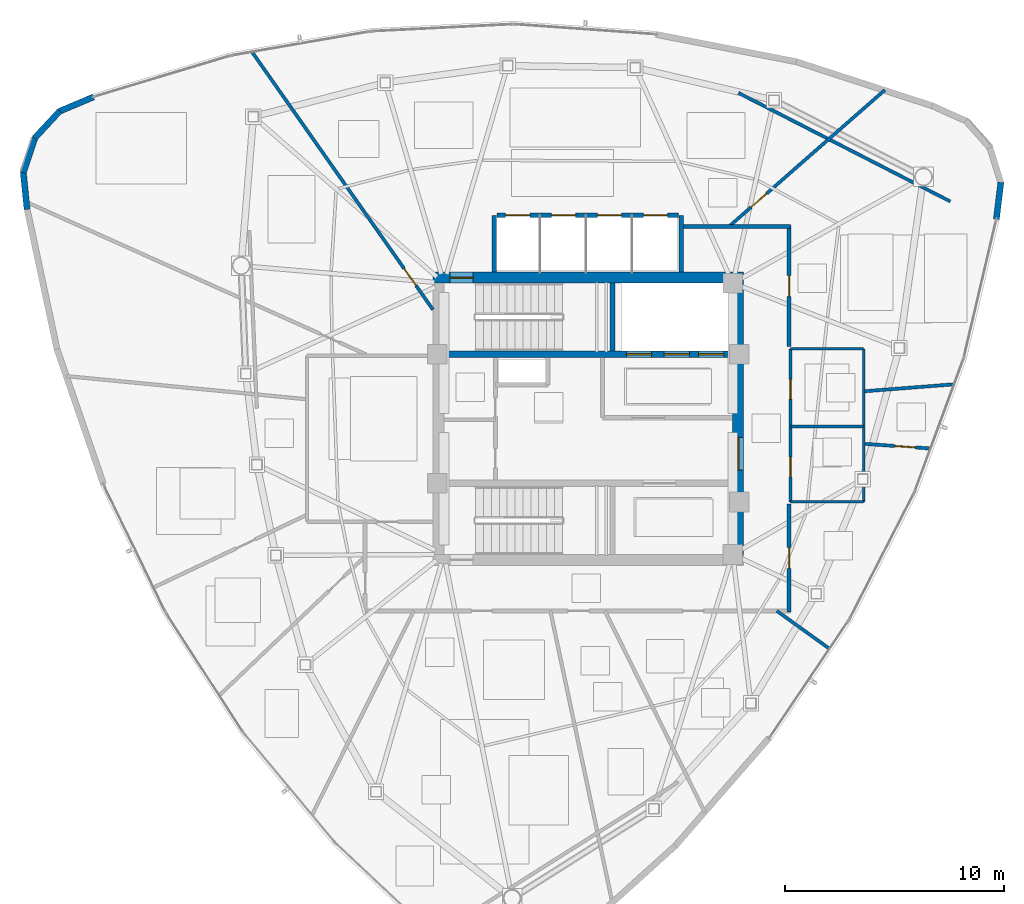
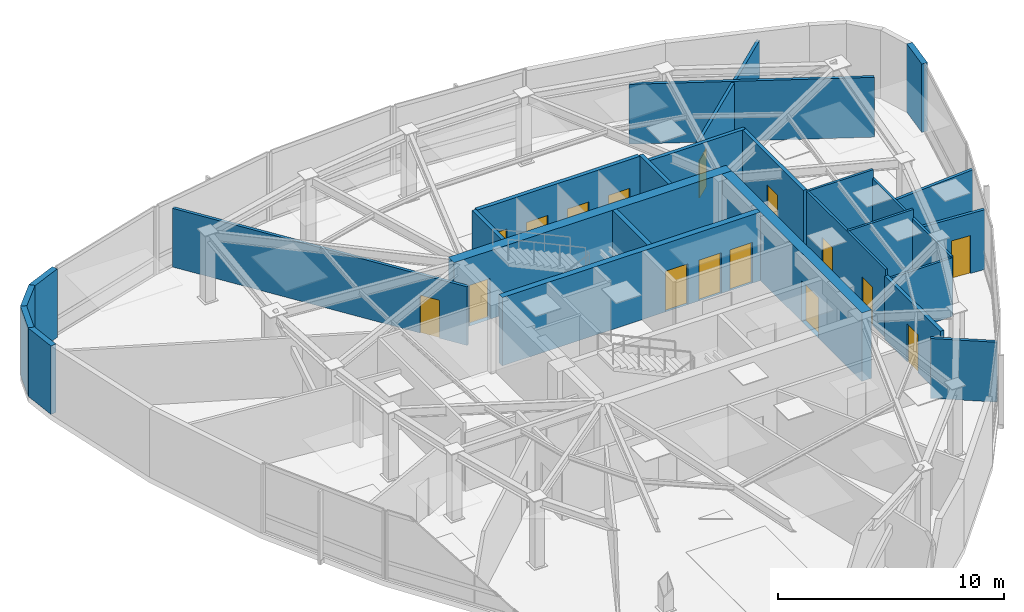
# One storey, part 9 of 12: 26 walls, 16 doors, 16 openings.
"""IFC4 building model written with IfcOpenShell, lengths in metres."""

from ifc_helpers import new_model, si_unit, direction, frame, frame_2d, origin, place, context, subcontext, project, spatial, rectangle, extrude, material, layer, layer_set, type_object, element, fill, save


model = new_model("IFC4")

# Units and contexts
model_context = context("Model", 3, precision=1e-05, world=origin(), true_north=direction((0.0, 1.0)))
body_context = subcontext(model_context, "Body", "Model", "MODEL_VIEW")
ifc_project = project(units=[si_unit("LENGTHUNIT", "METRE"), si_unit("AREAUNIT", "SQUARE_METRE"), si_unit("VOLUMEUNIT", "CUBIC_METRE"), si_unit("PLANEANGLEUNIT", "RADIAN"), si_unit("MASSUNIT", "GRAM", prefix="KILO")], contexts=[model_context])

# Site, building, storey
site_placement = place(None, origin())
site = spatial("IfcSite", under=ifc_project, at=site_placement, CompositionType="ELEMENT")
building_placement = place(site_placement, origin())
building = spatial("IfcBuilding", under=site, at=building_placement, Name="Tavelor Broadcast Tower", CompositionType="ELEMENT")
storey_placement = place(building_placement, frame((0.0, 0.0, 293.5)))
storey = spatial("IfcBuildingStorey", under=building, at=storey_placement, Name="L70", CompositionType="ELEMENT", Elevation=293.5)

# Wall, opening, door
ifc_material_1 = material(Name="Concrete C50/60", Category="concrete")
ifc_layer_1 = layer(ifc_material_1, 0.5)
ifc_layer_set_1 = layer_set([ifc_layer_1], Name="Concrete C50/60")
wall_type_1 = type_object("IfcWallType", Name="Core Shear Wall 500 mm", PredefinedType="SHEAR", material=ifc_layer_set_1)
wall_1_placement = place(storey_placement, frame((42.89990234375, 51.449951171875, 0.0), z_axis=(0.0, 0.0, 1.0), x_axis=(1.0, 0.0, 0.0)))
wall_1 = element("IfcWall", 1, at=wall_1_placement, inside=storey, type_object=wall_type_1, Name="L70 Central Core Shear Wall N", PredefinedType="SHEAR", context=body_context, shape_type="SweptSolid", body=[
    extrude(rectangle(XDim=14.2001953125, YDim=0.5, at=frame_2d((7.10009765625, 0.0))), origin(), (0.0, 0.0, 1.0), 3.699951171875),
])
opening_1_placement = place(wall_1_placement, frame((0.780029296875, 0.0, 0.0)))
opening_1 = element("IfcOpeningElement", 2, at=opening_1_placement, cuts=wall_1, Name="Opening DR11", PredefinedType="OPENING", context=body_context, shape_type="SweptSolid", body=[
    extrude(rectangle(XDim=1.050048828125, YDim=2.199951171875, at=frame_2d((0.52490234375, 1.10009765625))), frame((0.0, 0.260009765625, 0.0), z_axis=(0.0, -1.0, 0.0), x_axis=(1.0, 0.0, 0.0)), (0.0, 0.0, 1.0), 0.52001953125),
])
ifc_material_2 = material(Name="Steel S355", Category="steel")
door_type_1 = type_object("IfcDoorType", Name="Stair Core Fire Escape Door 1050x2200", OperationType="NOTDEFINED", PredefinedType="DOOR", material=ifc_material_2)
door_1_placement = place(opening_1_placement, origin())
door_1 = element("IfcDoor", 3, at=door_1_placement, inside=storey, type_object=door_type_1, Name="L70 Stair ST1 Protected Exit Door", OperationType="SINGLE_SWING_LEFT", OverallHeight=2.199951171875, OverallWidth=1.050048828125, PredefinedType="DOOR", context=body_context, shape_type="SweptSolid", body=[
    extrude(rectangle(XDim=1.050048828125, YDim=2.199951171875, at=frame_2d((0.52490234375, 1.10009765625))), frame((0.0, 0.02490234375, 0.0), z_axis=(0.0, -1.0, 0.0), x_axis=(1.0, 0.0, 0.0)), (0.0, 0.0, 1.0), 0.050048828125),
])
fill(opening_1, door_1)

wall_2_placement = place(storey_placement, frame((56.85009765625, 38.800048828125, 0.0), z_axis=(0.0, 0.0, 1.0), x_axis=(0.0, 1.0, 0.0)))
wall_2 = element("IfcWall", 4, at=wall_2_placement, inside=storey, type_object=wall_type_1, Name="L70 Central Core Shear Wall E", PredefinedType="SHEAR", context=body_context, shape_type="SweptSolid", body=[
    extrude(rectangle(XDim=12.39990234375, YDim=0.5, at=frame_2d((6.199951171875, 0.0))), origin(), (0.0, 0.0, 1.0), 3.699951171875),
])
opening_2_placement = place(wall_2_placement, frame((3.85009765625, 0.0, 0.0)))
opening_2 = element("IfcOpeningElement", 5, at=opening_2_placement, cuts=wall_2, Name="Opening DR14", PredefinedType="OPENING", context=body_context, shape_type="SweptSolid", body=[
    extrude(rectangle(XDim=1.5, YDim=2.199951171875, at=frame_2d((0.75, 1.10009765625))), frame((0.0, 0.260009765625, 0.0), z_axis=(0.0, -1.0, 0.0), x_axis=(1.0, 0.0, 0.0)), (0.0, 0.0, 1.0), 0.52001953125),
])
door_type_2 = type_object("IfcDoorType", Name="Firefighting Lobby Double Fire Door 1500x2200", OperationType="NOTDEFINED", PredefinedType="DOOR", material=ifc_material_2)
door_2_placement = place(opening_2_placement, origin())
door_2 = element("IfcDoor", 6, at=door_2_placement, inside=storey, type_object=door_type_2, Name="L70 Central Core Lobby Fire Door", OperationType="SINGLE_SWING_RIGHT", OverallHeight=2.199951171875, OverallWidth=1.5, PredefinedType="DOOR", context=body_context, shape_type="SweptSolid", body=[
    extrude(rectangle(XDim=1.5, YDim=2.199951171875, at=frame_2d((0.75, 1.10009765625))), frame((0.0, 0.02490234375, 0.0), z_axis=(0.0, -1.0, 0.0), x_axis=(1.0, 0.0, 0.0)), (0.0, 0.0, 1.0), 0.050048828125),
])
fill(opening_2, door_2)

# Wall, openings, doors
ifc_layer_2 = layer(ifc_material_1, 0.300048828125)
ifc_layer_set_2 = layer_set([ifc_layer_2], Name="Concrete C50/60")
wall_type_2 = type_object("IfcWallType", Name="Core Spine Shear Wall 300 mm C50", PredefinedType="SHEAR", material=ifc_layer_set_2)
wall_3_placement = place(storey_placement, frame((43.39990234375, 47.949951171875, 0.0), z_axis=(0.0, 0.0, 1.0), x_axis=(1.0, 0.0, 0.0)))
wall_3 = element("IfcWall", 7, at=wall_3_placement, inside=storey, type_object=wall_type_2, Name="L70 Central Core Shear Wall SP1", PredefinedType="SHEAR", context=body_context, shape_type="SweptSolid", body=[
    extrude(rectangle(XDim=13.2001953125, YDim=0.300048828125, at=frame_2d((6.60009765625, 0.0))), origin(), (0.0, 0.0, 1.0), 3.699951171875),
])
opening_3_placement = place(wall_3_placement, frame((8.344970703125, 0.0, 0.0)))
opening_3 = element("IfcOpeningElement", 8, at=opening_3_placement, cuts=wall_3, Name="Opening LD02", PredefinedType="OPENING", context=body_context, shape_type="SweptSolid", body=[
    extrude(rectangle(XDim=1.14990234375, YDim=2.199951171875, at=frame_2d((0.574951171875, 1.10009765625))), frame((0.0, 0.16015625, 0.0), z_axis=(0.0, -1.0, 0.0), x_axis=(1.0, 0.0, 0.0)), (0.0, 0.0, 1.0), 0.320068359375),
])
opening_4_placement = place(wall_3_placement, frame((10.06494140625, 0.0, 0.0)))
opening_4 = element("IfcOpeningElement", 9, at=opening_4_placement, cuts=wall_3, Name="Opening LD02", PredefinedType="OPENING", context=body_context, shape_type="SweptSolid", body=[
    extrude(rectangle(XDim=1.14990234375, YDim=2.199951171875, at=frame_2d((0.574951171875, 1.10009765625))), frame((0.0, 0.16015625, 0.0), z_axis=(0.0, -1.0, 0.0), x_axis=(1.0, 0.0, 0.0)), (0.0, 0.0, 1.0), 0.320068359375),
])
opening_5_placement = place(wall_3_placement, frame((11.64501953125, 0.0, 0.0)))
opening_5 = element("IfcOpeningElement", 10, at=opening_5_placement, cuts=wall_3, Name="Opening LD03", PredefinedType="OPENING", context=body_context, shape_type="SweptSolid", body=[
    extrude(rectangle(XDim=1.14990234375, YDim=2.199951171875, at=frame_2d((0.574951171875, 1.10009765625))), frame((0.0, 0.16015625, 0.0), z_axis=(0.0, -1.0, 0.0), x_axis=(1.0, 0.0, 0.0)), (0.0, 0.0, 1.0), 0.320068359375),
])
ifc_material_3 = material(Name="Reinforced Brushed Stainless Steel", Category="concrete")
door_type_3 = type_object("IfcDoorType", Name="Broadcast Goods Lift Sliding Landing Door 1250x2200", OperationType="NOTDEFINED", PredefinedType="DOOR", material=ifc_material_3)
door_3_placement = place(opening_5_placement, origin())
door_3 = element("IfcDoor", 11, at=door_3_placement, inside=storey, type_object=door_type_3, Name="L70 Lift SVL1 Sliding Landing Door", OperationType="SLIDING_TO_LEFT", OverallHeight=2.199951171875, OverallWidth=1.14990234375, PredefinedType="DOOR", context=body_context, shape_type="SweptSolid", body=[
    extrude(rectangle(XDim=1.14990234375, YDim=2.199951171875, at=frame_2d((0.574951171875, 1.10009765625))), frame((0.0, 0.02490234375, 0.0), z_axis=(0.0, -1.0, 0.0), x_axis=(1.0, 0.0, 0.0)), (0.0, 0.0, 1.0), 0.050048828125),
])
fill(opening_5, door_3)
ifc_material_4 = material(Name="Fire-Rated Stainless Steel", Category="steel")
door_type_4 = type_object("IfcDoorType", Name="Firefighting Lift Sliding Landing Door 1200x2200", OperationType="NOTDEFINED", PredefinedType="DOOR", material=ifc_material_4)
door_4_placement = place(opening_3_placement, origin())
door_4 = element("IfcDoor", 12, at=door_4_placement, inside=storey, type_object=door_type_4, Name="L70 Lift FFL1 Sliding Landing Door", OperationType="SLIDING_TO_LEFT", OverallHeight=2.199951171875, OverallWidth=1.14990234375, PredefinedType="DOOR", context=body_context, shape_type="SweptSolid", body=[
    extrude(rectangle(XDim=1.14990234375, YDim=2.199951171875, at=frame_2d((0.574951171875, 1.10009765625))), frame((0.0, 0.02490234375, 0.0), z_axis=(0.0, -1.0, 0.0), x_axis=(1.0, 0.0, 0.0)), (0.0, 0.0, 1.0), 0.050048828125),
])
fill(opening_3, door_4)
door_5_placement = place(opening_4_placement, origin())
door_5 = element("IfcDoor", 13, at=door_5_placement, inside=storey, type_object=door_type_4, Name="L70 Lift FFL2 Sliding Landing Door", OperationType="SLIDING_TO_LEFT", OverallHeight=2.199951171875, OverallWidth=1.14990234375, PredefinedType="DOOR", context=body_context, shape_type="SweptSolid", body=[
    extrude(rectangle(XDim=1.14990234375, YDim=2.199951171875, at=frame_2d((0.574951171875, 1.10009765625))), frame((0.0, 0.02490234375, 0.0), z_axis=(0.0, -1.0, 0.0), x_axis=(1.0, 0.0, 0.0)), (0.0, 0.0, 1.0), 0.050048828125),
])
fill(opening_4, door_5)

# Wall
ifc_material_5 = material(Name="Calcium Silicate Fire Board 180 mm", Category="gypsum")
ifc_layer_3 = layer(ifc_material_5, 0.179931640625)
ifc_layer_set_3 = layer_set([ifc_layer_3], Name="Calcium Silicate Fire Board 180 mm")
wall_type_3 = type_object("IfcWallType", Name="Fire-Rated Corridor Partition Wall 180 mm", PredefinedType="PARTITIONING", material=ifc_layer_set_3)
wall_4_placement = place(storey_placement, frame((54.300048828125, 53.780029296875, 0.0), z_axis=(0.0, 0.0, 1.0), x_axis=(1.0, 0.0, 0.0)))
element("IfcWall", 14, at=wall_4_placement, inside=storey, type_object=wall_type_3, Name="L70 Corridor Compartment Wall 01", PredefinedType="PARTITIONING", context=body_context, shape_type="SweptSolid", body=[
    extrude(rectangle(XDim=4.929931640625, YDim=0.179931640625, at=frame_2d((2.46484375, 0.0))), origin(), (0.0, 0.0, 1.0), 3.699951171875),
])

# Wall, opening, door
wall_5_placement = place(storey_placement, frame((59.179931640625, 53.830078125, 0.0), z_axis=(0.0, 0.0, 1.0), x_axis=(0.0, -1.0, 0.0)))
wall_5 = element("IfcWall", 15, at=wall_5_placement, inside=storey, type_object=wall_type_3, Name="L70 Corridor Compartment Wall 02", PredefinedType="PARTITIONING", context=body_context, shape_type="SweptSolid", body=[
    extrude(rectangle(XDim=5.530029296875, YDim=0.179931640625, at=frame_2d((2.76513671875, 0.0))), origin(), (0.0, 0.0, 1.0), 3.699951171875),
])
opening_6_placement = place(wall_5_placement, frame((2.2900390625, 0.0, 0.0)))
opening_6 = element("IfcOpeningElement", 16, at=opening_6_placement, cuts=wall_5, Name="Opening DR18", PredefinedType="OPENING", context=body_context, shape_type="SweptSolid", body=[
    extrude(rectangle(XDim=0.949951171875, YDim=2.050048828125, at=frame_2d((0.47509765625, 1.02490234375))), frame((0.0, 0.10009765625, 0.0), z_axis=(0.0, -1.0, 0.0), x_axis=(1.0, 0.0, 0.0)), (0.0, 0.0, 1.0), 0.199951171875),
])
ifc_material_6 = material(Name="Timber Solid Core Hardwood", Category="wood")
door_type_5 = type_object("IfcDoorType", Name="Corridor Rated Compartment Door 950x2050", OperationType="NOTDEFINED", PredefinedType="DOOR", material=ifc_material_6)
door_6_placement = place(opening_6_placement, origin())
door_6 = element("IfcDoor", 17, at=door_6_placement, inside=storey, type_object=door_type_5, Name="L70 Broadcast Crew Room Door R10", OperationType="SINGLE_SWING_RIGHT", OverallHeight=2.050048828125, OverallWidth=0.949951171875, PredefinedType="DOOR", context=body_context, shape_type="SweptSolid", body=[
    extrude(rectangle(XDim=0.949951171875, YDim=2.050048828125, at=frame_2d((0.47509765625, 1.02490234375))), frame((0.0, 0.02490234375, 0.0), z_axis=(0.0, -1.0, 0.0), x_axis=(1.0, 0.0, 0.0)), (0.0, 0.0, 1.0), 0.050048828125),
])
fill(opening_6, door_6)

wall_6_placement = place(storey_placement, frame((59.179931640625, 41.10009765625, 0.0), z_axis=(0.0, 0.0, 1.0), x_axis=(0.0, -1.0, 0.0)))
wall_6 = element("IfcWall", 18, at=wall_6_placement, inside=storey, type_object=wall_type_3, Name="L70 Corridor Compartment Wall 03", PredefinedType="PARTITIONING", context=body_context, shape_type="SweptSolid", body=[
    extrude(rectangle(XDim=4.93017578125, YDim=0.179931640625, at=frame_2d((2.465087890625, 0.0))), origin(), (0.0, 0.0, 1.0), 3.43505859375),
])
opening_7_placement = place(wall_6_placement, frame((1.989990234375, 0.0, 0.0)))
opening_7 = element("IfcOpeningElement", 19, at=opening_7_placement, cuts=wall_6, Name="Opening DR18", PredefinedType="OPENING", context=body_context, shape_type="SweptSolid", body=[
    extrude(rectangle(XDim=0.949951171875, YDim=2.050048828125, at=frame_2d((0.47509765625, 1.02490234375))), frame((0.0, 0.10009765625, 0.0), z_axis=(0.0, -1.0, 0.0), x_axis=(1.0, 0.0, 0.0)), (0.0, 0.0, 1.0), 0.199951171875),
])
door_7_placement = place(opening_7_placement, origin())
door_7 = element("IfcDoor", 20, at=door_7_placement, inside=storey, type_object=door_type_5, Name="L70 Broadcast Editorial Office Door R0", OperationType="SINGLE_SWING_LEFT", OverallHeight=2.050048828125, OverallWidth=0.949951171875, PredefinedType="DOOR", context=body_context, shape_type="SweptSolid", body=[
    extrude(rectangle(XDim=0.949951171875, YDim=2.050048828125, at=frame_2d((0.47509765625, 1.02490234375))), frame((0.0, 0.02490234375, 0.0), z_axis=(0.0, -1.0, 0.0), x_axis=(1.0, 0.0, 0.0)), (0.0, 0.0, 1.0), 0.050048828125),
])
fill(opening_7, door_7)

# Walls
ifc_material_7 = material(Name="Precast Concrete C40/50", Category="concrete")
ifc_layer_4 = layer(ifc_material_7, 0.280029296875)
ifc_layer_set_4 = layer_set([ifc_layer_4], Name="Precast Concrete C40/50")
wall_type_4 = type_object("IfcWallType", Name="Insulated Precast Terracotta Facade Wall 280 mm", PredefinedType="STANDARD", material=ifc_layer_set_4)
wall_7_placement = place(storey_placement, frame((27.38037109375, 59.709716796875, 0.0), z_axis=(0.0, 0.0, 1.0), x_axis=(-0.920880093486, -0.389845935494, 0.0)))
element("IfcWall", 21, at=wall_7_placement, inside=storey, type_object=wall_type_4, Name="L70 Rounded Corner Structural Cladding Pier 01", PredefinedType="STANDARD", context=body_context, shape_type="SweptSolid", body=[
    extrude(rectangle(XDim=1.701416015625, YDim=0.280029296875, at=frame_2d((0.8505859375, 0.0))), origin(), (0.0, 0.0, 1.0), 3.699951171875),
])
wall_8_placement = place(storey_placement, frame((25.83740234375, 59.06298828125, 0.0), z_axis=(0.0, 0.0, 1.0), x_axis=(-0.678825916405, -0.734299240921, 0.0)))
element("IfcWall", 22, at=wall_8_placement, inside=storey, type_object=wall_type_4, Name="L70 Rounded Corner Structural Cladding Pier 02", PredefinedType="STANDARD", context=body_context, shape_type="SweptSolid", body=[
    extrude(rectangle(XDim=1.68994140625, YDim=0.280029296875, at=frame_2d((0.844970703125, 0.0))), origin(), (0.0, 0.0, 1.0), 3.699951171875),
])
wall_9_placement = place(storey_placement, frame((24.705078125, 57.847412109375, 0.0), z_axis=(0.0, 0.0, 1.0), x_axis=(-0.316487762343, -0.948596593019, 0.0)))
element("IfcWall", 23, at=wall_9_placement, inside=storey, type_object=wall_type_4, Name="L70 Rounded Corner Structural Cladding Pier 03", PredefinedType="STANDARD", context=body_context, shape_type="SweptSolid", body=[
    extrude(rectangle(XDim=1.690185546875, YDim=0.280029296875, at=frame_2d((0.84521484375, 0.0))), origin(), (0.0, 0.0, 1.0), 3.699951171875),
])
wall_10_placement = place(storey_placement, frame((24.17333984375, 56.273193359375, 0.0), z_axis=(0.0, 0.0, 1.0), x_axis=(0.101931196267, -0.994791451123, 0.0)))
element("IfcWall", 24, at=wall_10_placement, inside=storey, type_object=wall_type_4, Name="L70 Rounded Corner Structural Cladding Pier 04", PredefinedType="STANDARD", context=body_context, shape_type="SweptSolid", body=[
    extrude(rectangle(XDim=1.712646484375, YDim=0.280029296875, at=frame_2d((0.8564453125, 0.0))), origin(), (0.0, 0.0, 1.0), 3.699951171875),
])
wall_11_placement = place(storey_placement, frame((68.64892578125, 54.11669921875, 0.0), z_axis=(0.0, 0.0, 1.0), x_axis=(0.122816191444, 0.992429434831, 0.0)))
element("IfcWall", 25, at=wall_11_placement, inside=storey, type_object=wall_type_4, Name="L70 Rounded Corner Structural Cladding Pier 21", PredefinedType="STANDARD", context=body_context, shape_type="SweptSolid", body=[
    extrude(rectangle(XDim=1.70166015625, YDim=0.280029296875, at=frame_2d((0.850830078125, 0.0))), origin(), (0.0, 0.0, 1.0), 3.699951171875),
])
ifc_material_8 = material(Name="Gypsum Acoustic Plasterboard 150 mm", Category="gypsum")
ifc_layer_5 = layer(ifc_material_8, 0.14990234375)
ifc_layer_set_5 = layer_set([ifc_layer_5], Name="Gypsum Acoustic Plasterboard 150 mm")
wall_type_5 = type_object("IfcWallType", Name="Interior Acoustic Partition Wall 150 mm", PredefinedType="PARTITIONING", material=ifc_layer_set_5)
wall_12_placement = place(storey_placement, frame((66.542724609375, 54.934326171875, 0.0), z_axis=(0.0, 0.0, 1.0), x_axis=(-0.889966951661, 0.456025026673, 0.0)))
element("IfcWall", 26, at=wall_12_placement, inside=storey, type_object=wall_type_5, Name="L70 Corner Tube Brace Furring Wall 3", PredefinedType="PARTITIONING", context=body_context, shape_type="SweptSolid", body=[
    extrude(rectangle(XDim=10.878662109375, YDim=0.14990234375, at=frame_2d((5.439453125, 0.0))), origin(), (0.0, 0.0, 1.0), 3.235107421875),
])
wall_13_placement = place(storey_placement, frame((58.614990234375, 36.219970703125, 0.0), z_axis=(0.0, 0.0, 1.0), x_axis=(0.811995943273, -0.583663077561, 0.0)))
element("IfcWall", 27, at=wall_13_placement, inside=storey, type_object=wall_type_5, Name="L70 Radial Compartment Wall 07", PredefinedType="PARTITIONING", context=body_context, shape_type="SweptSolid", body=[
    extrude(rectangle(XDim=2.977783203125, YDim=0.14990234375, at=frame_2d((1.48876953125, 0.0))), origin(), (0.0, 0.0, 1.0), 3.235107421875),
])

# Wall, opening, door
wall_14_placement = place(storey_placement, frame((62.64990234375, 43.852783203125, 0.0), z_axis=(0.0, 0.0, 1.0), x_axis=(0.997523349286, -0.070336104736, 0.0)))
wall_14 = element("IfcWall", 28, at=wall_14_placement, inside=storey, type_object=wall_type_5, Name="L70 Radial Compartment Wall 08", PredefinedType="PARTITIONING", context=body_context, shape_type="SweptSolid", body=[
    extrude(rectangle(XDim=3.009521484375, YDim=0.14990234375, at=frame_2d((1.5048828125, 0.0))), origin(), (0.0, 0.0, 1.0), 3.235107421875),
])
opening_8_placement = place(wall_14_placement, frame((1.35009765625, 0.0, 0.0)))
opening_8 = element("IfcOpeningElement", 29, at=opening_8_placement, cuts=wall_14, Name="Opening DR18", PredefinedType="OPENING", context=body_context, shape_type="SweptSolid", body=[
    extrude(rectangle(XDim=0.949951171875, YDim=2.050048828125, at=frame_2d((0.47509765625, 1.02490234375))), frame((0.0, 0.0849609375, 0.0), z_axis=(0.0, -1.0, 0.0), x_axis=(1.0, 0.0, 0.0)), (0.0, 0.0, 1.0), 0.169921875),
])
door_8_placement = place(opening_8_placement, origin())
door_8 = element("IfcDoor", 30, at=door_8_placement, inside=storey, type_object=door_type_5, Name="L70 Suite Connecting Door 11", OperationType="SINGLE_SWING_RIGHT", OverallHeight=2.050048828125, OverallWidth=0.949951171875, PredefinedType="DOOR", context=body_context, shape_type="SweptSolid", body=[
    extrude(rectangle(XDim=0.949951171875, YDim=2.050048828125, at=frame_2d((0.47509765625, 1.02490234375))), frame((0.0, 0.02490234375, 0.0), z_axis=(0.0, -1.0, 0.0), x_axis=(1.0, 0.0, 0.0)), (0.0, 0.0, 1.0), 0.050048828125),
])
fill(opening_8, door_8)

# Wall
wall_15_placement = place(storey_placement, frame((62.64990234375, 46.260009765625, 0.0), z_axis=(0.0, 0.0, 1.0), x_axis=(0.997006922557, 0.077312330021, 0.0)))
element("IfcWall", 31, at=wall_15_placement, inside=storey, type_object=wall_type_5, Name="L70 Radial Compartment Wall 09", PredefinedType="PARTITIONING", context=body_context, shape_type="SweptSolid", body=[
    extrude(rectangle(XDim=4.092529296875, YDim=0.14990234375, at=frame_2d((2.04638671875, 0.0))), origin(), (0.0, 0.0, 1.0), 3.235107421875),
])

# Wall, opening, door
wall_16_placement = place(storey_placement, frame((56.421630859375, 53.780029296875, 0.0), z_axis=(0.0, 0.0, 1.0), x_axis=(0.752167938375, 0.658971465605, 0.0)))
wall_16 = element("IfcWall", 32, at=wall_16_placement, inside=storey, type_object=wall_type_5, Name="L70 Radial Compartment Wall 10", PredefinedType="PARTITIONING", context=body_context, shape_type="SweptSolid", body=[
    extrude(rectangle(XDim=9.47509765625, YDim=0.14990234375, at=frame_2d((4.737548828125, 0.0))), origin(), (0.0, 0.0, 1.0), 3.175048828125),
])
opening_9_placement = place(wall_16_placement, frame((1.35009765625, 0.0, 0.0)))
opening_9 = element("IfcOpeningElement", 33, at=opening_9_placement, cuts=wall_16, Name="Opening DR18", PredefinedType="OPENING", context=body_context, shape_type="SweptSolid", body=[
    extrude(rectangle(XDim=0.949951171875, YDim=2.050048828125, at=frame_2d((0.47509765625, 1.02490234375))), frame((0.0, 0.0849609375, 0.0), z_axis=(0.0, -1.0, 0.0), x_axis=(1.0, 0.0, 0.0)), (0.0, 0.0, 1.0), 0.169921875),
])
door_9_placement = place(opening_9_placement, origin())
door_9 = element("IfcDoor", 34, at=door_9_placement, inside=storey, type_object=door_type_5, Name="L70 Suite Connecting Door 9", OperationType="SINGLE_SWING_LEFT", OverallHeight=2.050048828125, OverallWidth=0.949951171875, PredefinedType="DOOR", context=body_context, shape_type="SweptSolid", body=[
    extrude(rectangle(XDim=0.949951171875, YDim=2.050048828125, at=frame_2d((0.47509765625, 1.02490234375))), frame((0.0, 0.02490234375, 0.0), z_axis=(0.0, -1.0, 0.0), x_axis=(1.0, 0.0, 0.0)), (0.0, 0.0, 1.0), 0.050048828125),
])
fill(opening_9, door_9)

wall_17_placement = place(storey_placement, frame((42.89990234375, 49.986083984375, 0.0), z_axis=(0.0, 0.0, 1.0), x_axis=(-0.574534526107, 0.81848034693, 0.0)))
wall_17 = element("IfcWall", 35, at=wall_17_placement, inside=storey, type_object=wall_type_5, Name="L70 Radial Compartment Wall 11", PredefinedType="PARTITIONING", context=body_context, shape_type="SweptSolid", body=[
    extrude(rectangle(XDim=14.404541015625, YDim=0.14990234375, at=frame_2d((7.2021484375, 0.0))), origin(), (0.0, 0.0, 1.0), 3.175048828125),
])
opening_10_placement = place(wall_17_placement, frame((1.35009765625, 0.0, 0.0)))
opening_10 = element("IfcOpeningElement", 36, at=opening_10_placement, cuts=wall_17, Name="Opening DR18", PredefinedType="OPENING", context=body_context, shape_type="SweptSolid", body=[
    extrude(rectangle(XDim=0.949951171875, YDim=2.050048828125, at=frame_2d((0.47509765625, 1.02490234375))), frame((0.0, 0.0849609375, 0.0), z_axis=(0.0, -1.0, 0.0), x_axis=(1.0, 0.0, 0.0)), (0.0, 0.0, 1.0), 0.169921875),
])
door_10_placement = place(opening_10_placement, origin())
door_10 = element("IfcDoor", 37, at=door_10_placement, inside=storey, type_object=door_type_5, Name="L70 Suite Connecting Door 8", OperationType="SINGLE_SWING_RIGHT", OverallHeight=2.050048828125, OverallWidth=0.949951171875, PredefinedType="DOOR", context=body_context, shape_type="SweptSolid", body=[
    extrude(rectangle(XDim=0.949951171875, YDim=2.050048828125, at=frame_2d((0.47509765625, 1.02490234375))), frame((0.0, 0.02490234375, 0.0), z_axis=(0.0, -1.0, 0.0), x_axis=(1.0, 0.0, 0.0)), (0.0, 0.0, 1.0), 0.050048828125),
])
fill(opening_10, door_10)

# Wall, openings, doors
ifc_material_9 = material(Name="Concrete Blockwork 200 mm", Category="masonry")
ifc_layer_6 = layer(ifc_material_9, 0.199951171875)
ifc_layer_set_6 = layer_set([ifc_layer_6], Name="Concrete Blockwork 200 mm")
wall_type_6 = type_object("IfcWallType", Name="Lift Hoistway Rated Front Wall 200 mm", PredefinedType="PARTITIONING", material=ifc_layer_set_6)
wall_18_placement = place(storey_placement, frame((45.820068359375, 54.300048828125, 0.0), z_axis=(0.0, 0.0, 1.0), x_axis=(1.0, 0.0, 0.0)))
wall_18 = element("IfcWall", 38, at=wall_18_placement, inside=storey, type_object=wall_type_6, Name="L70 High-Rise Lift Hoistway Front Wall", PredefinedType="PARTITIONING", context=body_context, shape_type="SweptSolid", body=[
    extrude(rectangle(XDim=8.309814453125, YDim=0.199951171875, at=frame_2d((4.15478515625, 0.0))), origin(), (0.0, 0.0, 1.0), 3.699951171875),
])
opening_11_placement = place(wall_18_placement, frame((0.405029296875, 0.0, 0.0)))
opening_11 = element("IfcOpeningElement", 39, at=opening_11_placement, cuts=wall_18, Name="Opening LD01", PredefinedType="OPENING", context=body_context, shape_type="SweptSolid", body=[
    extrude(rectangle(XDim=1.10009765625, YDim=2.14990234375, at=frame_2d((0.550048828125, 1.074951171875))), frame((0.0, 0.10986328125, 0.0), z_axis=(0.0, -1.0, 0.0), x_axis=(1.0, 0.0, 0.0)), (0.0, 0.0, 1.0), 0.219970703125),
])
opening_12_placement = place(wall_18_placement, frame((2.5048828125, 0.0, 0.0)))
opening_12 = element("IfcOpeningElement", 40, at=opening_12_placement, cuts=wall_18, Name="Opening LD01", PredefinedType="OPENING", context=body_context, shape_type="SweptSolid", body=[
    extrude(rectangle(XDim=1.10009765625, YDim=2.14990234375, at=frame_2d((0.550048828125, 1.074951171875))), frame((0.0, 0.10986328125, 0.0), z_axis=(0.0, -1.0, 0.0), x_axis=(1.0, 0.0, 0.0)), (0.0, 0.0, 1.0), 0.219970703125),
])
opening_13_placement = place(wall_18_placement, frame((4.60498046875, 0.0, 0.0)))
opening_13 = element("IfcOpeningElement", 41, at=opening_13_placement, cuts=wall_18, Name="Opening LD01", PredefinedType="OPENING", context=body_context, shape_type="SweptSolid", body=[
    extrude(rectangle(XDim=1.10009765625, YDim=2.14990234375, at=frame_2d((0.550048828125, 1.074951171875))), frame((0.0, 0.10986328125, 0.0), z_axis=(0.0, -1.0, 0.0), x_axis=(1.0, 0.0, 0.0)), (0.0, 0.0, 1.0), 0.219970703125),
])
opening_14_placement = place(wall_18_placement, frame((6.705078125, 0.0, 0.0)))
opening_14 = element("IfcOpeningElement", 42, at=opening_14_placement, cuts=wall_18, Name="Opening LD01", PredefinedType="OPENING", context=body_context, shape_type="SweptSolid", body=[
    extrude(rectangle(XDim=1.10009765625, YDim=2.14990234375, at=frame_2d((0.550048828125, 1.074951171875))), frame((0.0, 0.10986328125, 0.0), z_axis=(0.0, -1.0, 0.0), x_axis=(1.0, 0.0, 0.0)), (0.0, 0.0, 1.0), 0.219970703125),
])
ifc_material_10 = material(Name="Brushed Stainless Steel", Category="steel")
door_type_6 = type_object("IfcDoorType", Name="Passenger Lift Sliding Landing Door 1100x2150", OperationType="NOTDEFINED", PredefinedType="DOOR", material=ifc_material_10)
door_11_placement = place(opening_11_placement, origin())
door_11 = element("IfcDoor", 43, at=door_11_placement, inside=storey, type_object=door_type_6, Name="L70 Lift PLH1 Sliding Landing Door", OperationType="SLIDING_TO_LEFT", OverallHeight=2.14990234375, OverallWidth=1.10009765625, PredefinedType="DOOR", context=body_context, shape_type="SweptSolid", body=[
    extrude(rectangle(XDim=1.10009765625, YDim=2.14990234375, at=frame_2d((0.550048828125, 1.074951171875))), frame((0.0, 0.02490234375, 0.0), z_axis=(0.0, -1.0, 0.0), x_axis=(1.0, 0.0, 0.0)), (0.0, 0.0, 1.0), 0.050048828125),
])
fill(opening_11, door_11)
door_12_placement = place(opening_12_placement, origin())
door_12 = element("IfcDoor", 44, at=door_12_placement, inside=storey, type_object=door_type_6, Name="L70 Lift PLH2 Sliding Landing Door", OperationType="SLIDING_TO_RIGHT", OverallHeight=2.14990234375, OverallWidth=1.10009765625, PredefinedType="DOOR", context=body_context, shape_type="SweptSolid", body=[
    extrude(rectangle(XDim=1.10009765625, YDim=2.14990234375, at=frame_2d((0.550048828125, 1.074951171875))), frame((0.0, 0.02490234375, 0.0), z_axis=(0.0, -1.0, 0.0), x_axis=(1.0, 0.0, 0.0)), (0.0, 0.0, 1.0), 0.050048828125),
])
fill(opening_12, door_12)
door_13_placement = place(opening_13_placement, origin())
door_13 = element("IfcDoor", 45, at=door_13_placement, inside=storey, type_object=door_type_6, Name="L70 Lift PLH3 Sliding Landing Door", OperationType="SLIDING_TO_LEFT", OverallHeight=2.14990234375, OverallWidth=1.10009765625, PredefinedType="DOOR", context=body_context, shape_type="SweptSolid", body=[
    extrude(rectangle(XDim=1.10009765625, YDim=2.14990234375, at=frame_2d((0.550048828125, 1.074951171875))), frame((0.0, 0.02490234375, 0.0), z_axis=(0.0, -1.0, 0.0), x_axis=(1.0, 0.0, 0.0)), (0.0, 0.0, 1.0), 0.050048828125),
])
fill(opening_13, door_13)
door_14_placement = place(opening_14_placement, origin())
door_14 = element("IfcDoor", 46, at=door_14_placement, inside=storey, type_object=door_type_6, Name="L70 Lift PLH4 Sliding Landing Door", OperationType="SLIDING_TO_RIGHT", OverallHeight=2.14990234375, OverallWidth=1.10009765625, PredefinedType="DOOR", context=body_context, shape_type="SweptSolid", body=[
    extrude(rectangle(XDim=1.10009765625, YDim=2.14990234375, at=frame_2d((0.550048828125, 1.074951171875))), frame((0.0, 0.02490234375, 0.0), z_axis=(0.0, -1.0, 0.0), x_axis=(1.0, 0.0, 0.0)), (0.0, 0.0, 1.0), 0.050048828125),
])
fill(opening_14, door_14)

# Walls
ifc_layer_7 = layer(ifc_material_9, 0.199951171875)
ifc_layer_set_7 = layer_set([ifc_layer_7], Name="Concrete Blockwork 200 mm")
wall_type_7 = type_object("IfcWallType", Name="Lift and Riser Shaft Enclosure Wall 200 mm", PredefinedType="PARTITIONING", material=ifc_layer_set_7)
for number, where, z_axis, x_axis, name in (
    (47, (45.699951171875, 51.699951171875, 0.0), (0.0, 0.0, 1.0), (0.0, 1.0, 0.0), "L70 High-Rise Lift Shaft West Wall"),
    (48, (54.25, 51.699951171875, 0.0), (0.0, 0.0, 1.0), (0.0, 1.0, 0.0), "L70 High-Rise Lift Shaft East Wall"),
):
    element("IfcWall", number, at=place(storey_placement, frame(where, z_axis=z_axis, x_axis=x_axis)), inside=storey, type_object=wall_type_7, Name=name, PredefinedType="PARTITIONING", context=body_context, shape_type="SweptSolid", body=[
        extrude(rectangle(XDim=2.60009765625, YDim=0.199951171875, at=frame_2d((1.300048828125, 0.0))), origin(), (0.0, 0.0, 1.0), 3.699951171875),
    ])

# Wall, openings, doors
ifc_material_11 = material(Name="Moisture-Resistant Plasterboard 120 mm", Category="gypsum")
ifc_layer_8 = layer(ifc_material_11, 0.1201171875)
ifc_layer_set_8 = layer_set([ifc_layer_8], Name="Moisture-Resistant Plasterboard 120 mm")
wall_type_8 = type_object("IfcWallType", Name="Moisture-Resistant Wet-Room Partition 120 mm", PredefinedType="PARTITIONING", material=ifc_layer_set_8)
wall_19_placement = place(storey_placement, frame((59.239990234375, 41.199951171875, 0.0), z_axis=(0.0, 0.0, 1.0), x_axis=(0.0, 1.0, 0.0)))
wall_19 = element("IfcWall", 49, at=wall_19_placement, inside=storey, type_object=wall_type_8, Name="L70 Floor Washrooms West Wall", PredefinedType="PARTITIONING", context=body_context, shape_type="SweptSolid", body=[
    extrude(rectangle(XDim=7.0, YDim=0.1201171875, at=frame_2d((3.5, 0.0))), origin(), (0.0, 0.0, 1.0), 3.699951171875),
])
opening_15_placement = place(wall_19_placement, frame((1.14990234375, 0.0, 0.0)))
opening_15 = element("IfcOpeningElement", 50, at=opening_15_placement, cuts=wall_19, Name="Opening DR32", PredefinedType="OPENING", context=body_context, shape_type="SweptSolid", body=[
    extrude(rectangle(XDim=0.89990234375, YDim=2.050048828125, at=frame_2d((0.449951171875, 1.02490234375))), frame((0.0, 0.070068359375, 0.0), z_axis=(0.0, -1.0, 0.0), x_axis=(1.0, 0.0, 0.0)), (0.0, 0.0, 1.0), 0.14013671875),
])
opening_16_placement = place(wall_19_placement, frame((4.699951171875, 0.0, 0.0)))
opening_16 = element("IfcOpeningElement", 51, at=opening_16_placement, cuts=wall_19, Name="Opening DR32", PredefinedType="OPENING", context=body_context, shape_type="SweptSolid", body=[
    extrude(rectangle(XDim=0.89990234375, YDim=2.050048828125, at=frame_2d((0.449951171875, 1.02490234375))), frame((0.0, 0.070068359375, 0.0), z_axis=(0.0, -1.0, 0.0), x_axis=(1.0, 0.0, 0.0)), (0.0, 0.0, 1.0), 0.14013671875),
])
door_type_7 = type_object("IfcDoorType", Name="Accessible Washroom Door 900x2050", OperationType="NOTDEFINED", PredefinedType="DOOR", material=ifc_material_6)
door_15_placement = place(opening_15_placement, origin())
door_15 = element("IfcDoor", 52, at=door_15_placement, inside=storey, type_object=door_type_7, Name="L70 Accessible WC Door", OperationType="SINGLE_SWING_LEFT", OverallHeight=2.050048828125, OverallWidth=0.89990234375, PredefinedType="DOOR", context=body_context, shape_type="SweptSolid", body=[
    extrude(rectangle(XDim=0.89990234375, YDim=2.050048828125, at=frame_2d((0.449951171875, 1.02490234375))), frame((0.0, 0.02490234375, 0.0), z_axis=(0.0, -1.0, 0.0), x_axis=(1.0, 0.0, 0.0)), (0.0, 0.0, 1.0), 0.050048828125),
])
fill(opening_15, door_15)
door_16_placement = place(opening_16_placement, origin())
door_16 = element("IfcDoor", 53, at=door_16_placement, inside=storey, type_object=door_type_7, Name="L70 Staff Washroom WC Door", OperationType="SINGLE_SWING_RIGHT", OverallHeight=2.050048828125, OverallWidth=0.89990234375, PredefinedType="DOOR", context=body_context, shape_type="SweptSolid", body=[
    extrude(rectangle(XDim=0.89990234375, YDim=2.050048828125, at=frame_2d((0.449951171875, 1.02490234375))), frame((0.0, 0.02490234375, 0.0), z_axis=(0.0, -1.0, 0.0), x_axis=(1.0, 0.0, 0.0)), (0.0, 0.0, 1.0), 0.050048828125),
])
fill(opening_16, door_16)

# Walls
wall_20_placement = place(storey_placement, frame((59.239990234375, 41.199951171875, 0.0), z_axis=(0.0, 0.0, 1.0), x_axis=(1.0, 0.0, 0.0)))
element("IfcWall", 54, at=wall_20_placement, inside=storey, type_object=wall_type_8, Name="L70 Floor Washrooms South Wall", PredefinedType="PARTITIONING", context=body_context, shape_type="SweptSolid", body=[
    extrude(rectangle(XDim=3.340087890625, YDim=0.1201171875, at=frame_2d((1.669921875, 0.0))), origin(), (0.0, 0.0, 1.0), 3.175048828125),
])
for number, where, z_axis, x_axis, name in (
    (55, (59.239990234375, 44.64990234375, 0.0), (0.0, 0.0, 1.0), (1.0, 0.0, 0.0), "L70 Floor Washrooms Divider Wall"),
    (56, (59.239990234375, 48.199951171875, 0.0), (0.0, 0.0, 1.0), (1.0, 0.0, 0.0), "L70 Floor Washrooms North Wall"),
):
    element("IfcWall", number, at=place(storey_placement, frame(where, z_axis=z_axis, x_axis=x_axis)), inside=storey, type_object=wall_type_8, Name=name, PredefinedType="PARTITIONING", context=body_context, shape_type="SweptSolid", body=[
        extrude(rectangle(XDim=3.340087890625, YDim=0.1201171875, at=frame_2d((1.669921875, 0.0))), origin(), (0.0, 0.0, 1.0), 3.699951171875),
    ])
wall_21_placement = place(storey_placement, frame((62.580078125, 41.199951171875, 0.0), z_axis=(0.0, 0.0, 1.0), x_axis=(0.0, 1.0, 0.0)))
element("IfcWall", 57, at=wall_21_placement, inside=storey, type_object=wall_type_8, Name="L70 Floor Washrooms East Wall", PredefinedType="PARTITIONING", context=body_context, shape_type="SweptSolid", body=[
    extrude(rectangle(XDim=7.0, YDim=0.1201171875, at=frame_2d((3.5, 0.0))), origin(), (0.0, 0.0, 1.0), 3.235107421875),
])
ifc_material_12 = material(Name="Concrete C40/50", Category="concrete")
ifc_layer_9 = layer(ifc_material_12, 0.219970703125)
ifc_layer_set_9 = layer_set([ifc_layer_9], Name="Concrete C40/50")
wall_type_9 = type_object("IfcWallType", Name="Structural Stairwell Shear Wall 220 mm", PredefinedType="SHEAR", material=ifc_layer_set_9)
wall_22_placement = place(storey_placement, frame((51.110107421875, 48.10009765625, 0.0), z_axis=(0.0, 0.0, 1.0), x_axis=(0.0, 1.0, 0.0)))
element("IfcWall", 58, at=wall_22_placement, inside=storey, type_object=wall_type_9, Name="L70 Stair ST1 Structural Shaft Wall", PredefinedType="SHEAR", context=body_context, shape_type="SweptSolid", body=[
    extrude(rectangle(XDim=3.099853515625, YDim=0.219970703125, at=frame_2d((1.5498046875, 0.0))), origin(), (0.0, 0.0, 1.0), 3.699951171875),
])

save(model, "model.ifc")
